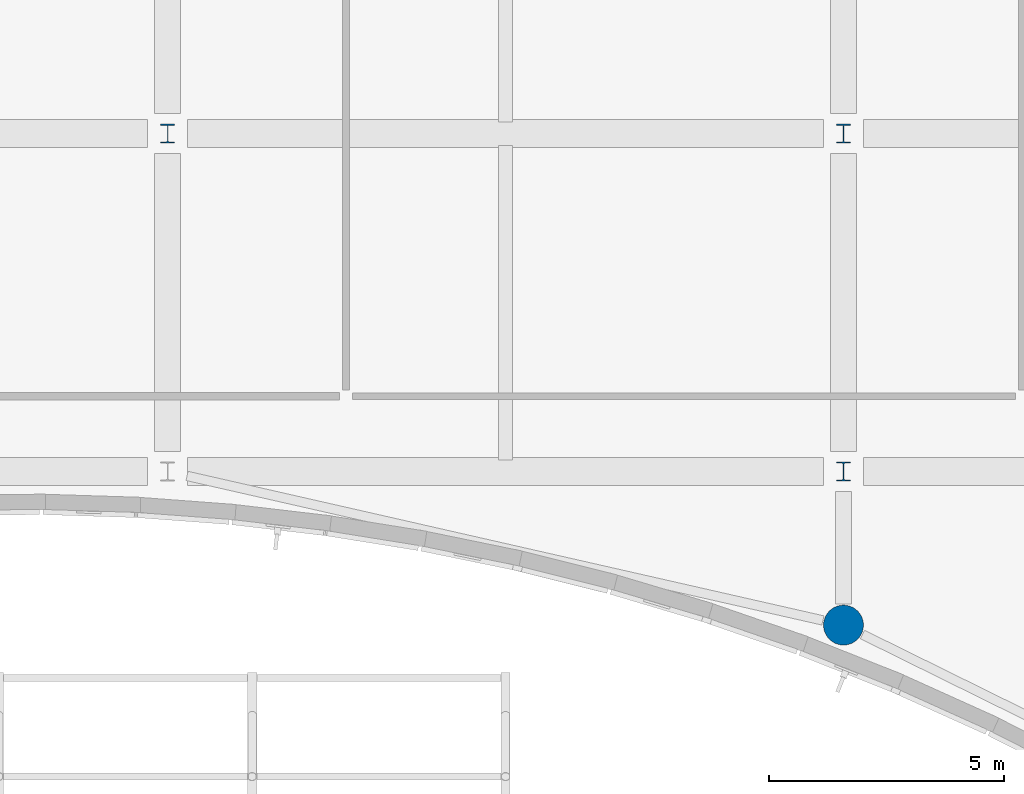
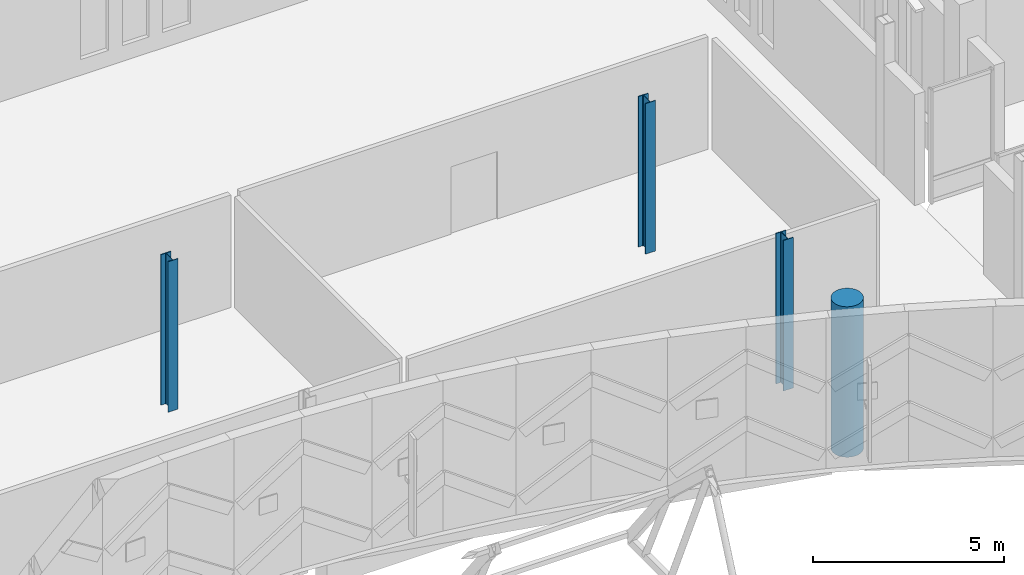
# One storey, part 6 of 220: 4 columns.
"""IFC4 building model written with IfcOpenShell, lengths in metres."""

from ifc_helpers import new_model, si_unit, direction, frame, origin, origin_2d, place, context, subcontext, project, spatial, circle, i_section, extrude, material, material_profile, profile_set, type_object, element, save


model = new_model("IFC4")

# Units and contexts
model_context = context("Model", 3, precision=1e-05, world=origin(), true_north=direction((0.0, 1.0)))
body_context = subcontext(model_context, "Body", "Model", "MODEL_VIEW")
ifc_project = project(units=[si_unit("LENGTHUNIT", "METRE"), si_unit("AREAUNIT", "SQUARE_METRE"), si_unit("VOLUMEUNIT", "CUBIC_METRE"), si_unit("PLANEANGLEUNIT", "RADIAN"), si_unit("MASSUNIT", "GRAM", prefix="KILO")], contexts=[model_context])

# Site, building, storey
site_placement = place(None, origin())
site = spatial("IfcSite", under=ifc_project, at=site_placement, CompositionType="ELEMENT")
building_placement = place(site_placement, origin())
building = spatial("IfcBuilding", under=site, at=building_placement, Name="Cendralis Lancet Convention Centre", CompositionType="ELEMENT")
storey_placement = place(building_placement, frame((0.0, 0.0, 5.39990234375)))
storey = spatial("IfcBuildingStorey", under=building, at=storey_placement, Name="L01", CompositionType="ELEMENT", Elevation=5.39990234375)

# Columns
ifc_material_1 = material(Name="Concrete G40 (C40/50)", Category="concrete")
ifc_material_profile_1 = material_profile(ifc_material_1, circle(Radius=0.425048828125, at=origin_2d()), Name="RC D850")
ifc_profile_set_1 = profile_set([ifc_material_profile_1], Name="Concrete G40 (C40/50)")
column_type_1 = type_object("IfcColumnType", Name="STR-COL-C17", PredefinedType="COLUMN", material=ifc_profile_set_1)
column_placement = place(storey_placement, frame((122.39990234375, 11.126953125, 0.0), z_axis=(0.0, 0.0, 1.0), x_axis=(1.0, 0.0, 0.0)))
element("IfcColumn", 1, at=column_placement, inside=storey, type_object=column_type_1, Name="L01 Column C17 at 122.4,11.1", PredefinedType="COLUMN", context=body_context, shape_type="SweptSolid", body=[
    extrude(circle(Radius=0.425048828125, at=origin_2d()), origin(), (0.0, 0.0, 1.0), 4.800048828125),
])
ifc_material_2 = material(Name="Steel S355", Category="steel")
ifc_material_profile_2 = material_profile(ifc_material_2, i_section(OverallWidth=0.300048828125, OverallDepth=0.39990234375, WebThickness=0.013427734375, FlangeThickness=0.02392578125, FilletRadius=0.027099609375, at=origin_2d()), Name="HEB 400")
ifc_profile_set_2 = profile_set([ifc_material_profile_2], Name="Steel S355")
column_type_2 = type_object("IfcColumnType", Name="STR-COL-C25-INT", PredefinedType="COLUMN", material=ifc_profile_set_2)
for number, where, z_axis, x_axis, name in (
    (2, (108.0, 21.60009765625, 0.0), (0.0, 0.0, 1.0), (1.0, 0.0, 0.0), "L01 Column C25 at 108.0,21.6"),
    (3, (122.39990234375, 14.39990234375, 0.0), (0.0, 0.0, 1.0), (1.0, 0.0, 0.0), "L01 Column C25 at 122.4,14.4"),
    (4, (122.39990234375, 21.60009765625, 0.0), (0.0, 0.0, 1.0), (1.0, 0.0, 0.0), "L01 Column C25 at 122.4,21.6"),
):
    element("IfcColumn", number, at=place(storey_placement, frame(where, z_axis=z_axis, x_axis=x_axis)), inside=storey, type_object=column_type_2, Name=name, PredefinedType="COLUMN", context=body_context, shape_type="SweptSolid", body=[
        extrude(i_section(OverallWidth=0.300048828125, OverallDepth=0.39990234375, WebThickness=0.013427734375, FlangeThickness=0.02392578125, FilletRadius=0.027099609375, at=origin_2d()), origin(), (0.0, 0.0, 1.0), 4.800048828125),
    ])

save(model, "model.ifc")
